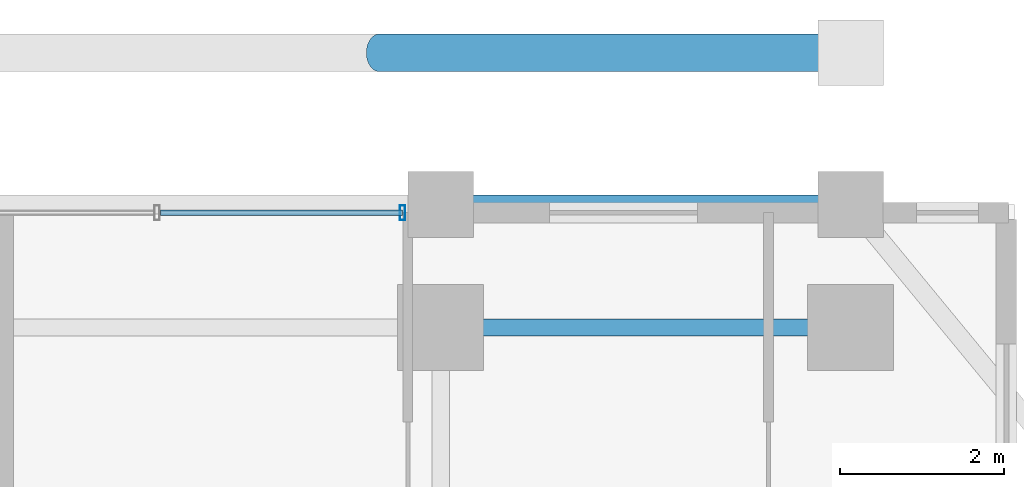
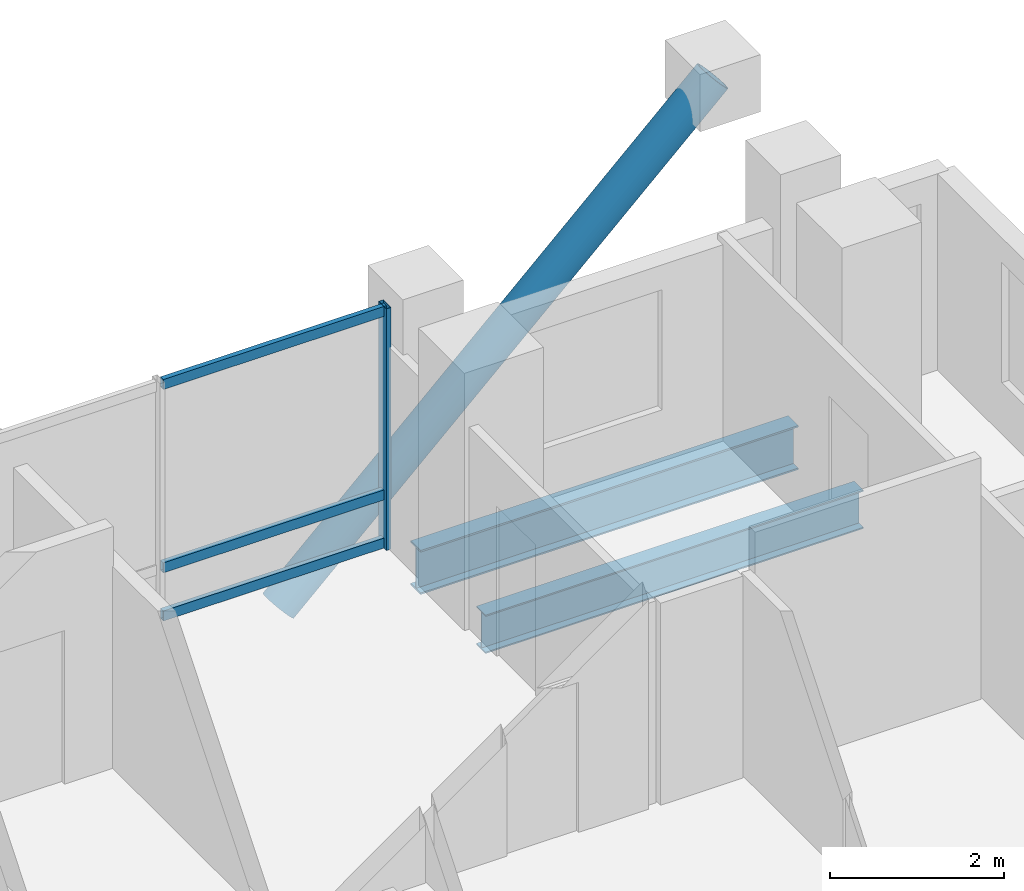
# One storey, part 16 of 24: 5 members, 2 beams, 1 element without a shape of its own.
"""IFC4 building model written with IfcOpenShell, lengths in metres."""

import ifcopenshell
import ifcopenshell.guid

model = None  # the IFC model being written
_history = None  # IfcOwnerHistory: only IFC2X3 demands one
_inside = {}  # id of a spatial element -> (the spatial element, [elements in it])
_under = {}  # id of a project, library or spatial element -> (it, [spatial elements below it])
_declared = {}  # id of a project -> (the project, [libraries it declares])
_typed = {}  # id of a type object -> (the type object, [elements of that type])
_made_of = {}  # id of a material, layer set ... -> (it, [elements and type objects made of it])


def new_model(schema):
    """Start an empty IFC model of exactly this schema.

    Asked for "IFC4X3", IfcOpenShell would pick the latest addendum, in which some entities
    have other attributes; the version numbers below select the first issue.
    IFC2X3 requires an IfcOwnerHistory on every rooted entity: one is made here for all.
    """
    global model, _history
    if schema == "IFC4X3":
        model = ifcopenshell.file(schema_version=(4, 3, 0, 0))
    else:
        model = ifcopenshell.file(schema=schema)
    _inside.clear()
    _under.clear()
    _declared.clear()
    _typed.clear()
    _made_of.clear()
    _history = None
    if model.schema == "IFC2X3":
        org = make("IfcOrganization", Name="unknown")
        user = make(
            "IfcPersonAndOrganization",
            ThePerson=make("IfcPerson", FamilyName="unknown"),
            TheOrganization=org,
        )
        app = make(
            "IfcApplication",
            ApplicationDeveloper=org,
            Version="unknown",
            ApplicationFullName="unknown",
            ApplicationIdentifier="unknown",
        )
        _history = make(
            "IfcOwnerHistory",
            OwningUser=user,
            OwningApplication=app,
            ChangeAction="ADDED",
            CreationDate=0,
        )
    return model


def make(cls, **values):
    """One entity of the class cls with the attributes given. An attribute that is None is left unset."""
    return model.create_entity(
        cls, **{name: value for name, value in values.items() if value is not None}
    )


def rooted(cls, **values):
    """An entity with a GlobalId (a new one), such as an element, a storey or a relation."""
    return make(cls, GlobalId=ifcopenshell.guid.new(), OwnerHistory=_history, **values)


def si_unit(unit_type, name, prefix=None):
    """IfcSIUnit, for example si_unit("LENGTHUNIT", "METRE", prefix="MILLI")."""
    return make("IfcSIUnit", UnitType=unit_type, Prefix=prefix, Name=name)


def assignment(units):
    """IfcUnitAssignment: the units of a project."""
    return None if units is None else make("IfcUnitAssignment", Units=units)


def point(xyz):
    """IfcCartesianPoint."""
    return None if xyz is None else make("IfcCartesianPoint", Coordinates=xyz)


def direction(xyz):
    """IfcDirection."""
    return None if xyz is None else make("IfcDirection", DirectionRatios=xyz)


def frame(location, z_axis=None, x_axis=None):
    """IfcAxis2Placement3D, a coordinate frame: its origin and axes. An axis left out is left unset."""
    return make(
        "IfcAxis2Placement3D",
        Location=point(location),
        Axis=direction(z_axis),
        RefDirection=direction(x_axis),
    )


def frame_2d(location, x_axis=None):
    """IfcAxis2Placement2D, a coordinate frame in the plane: its origin and x axis."""
    return make(
        "IfcAxis2Placement2D", Location=point(location), RefDirection=direction(x_axis)
    )


def origin():
    """The frame at (0, 0, 0) with its axes left unset."""
    return frame((0.0, 0.0, 0.0))


def origin_2d():
    """The frame at (0, 0) in the plane with its x axis left unset."""
    return frame_2d((0.0, 0.0))


def place(relative_to, where):
    """IfcLocalPlacement: puts the frame where relative to a parent placement (None: the world)."""
    return make(
        "IfcLocalPlacement", PlacementRelTo=relative_to, RelativePlacement=where
    )


def context(
    kind, dimensions, precision=None, world=None, true_north=None, identifier=None
):
    """IfcGeometricRepresentationContext, for example the 3D "Model" context."""
    return make(
        "IfcGeometricRepresentationContext",
        ContextIdentifier=identifier,
        ContextType=kind,
        CoordinateSpaceDimension=dimensions,
        Precision=precision,
        WorldCoordinateSystem=world,
        TrueNorth=true_north,
    )


def subcontext(parent, identifier, kind, view, scale=None):
    """IfcGeometricRepresentationSubContext, for example "Body" below "Model"."""
    return make(
        "IfcGeometricRepresentationSubContext",
        ContextIdentifier=identifier,
        ContextType=kind,
        ParentContext=parent,
        TargetScale=scale,
        TargetView=view,
    )


def project(units=None, contexts=None):
    """IfcProject with its units and contexts."""
    return rooted(
        "IfcProject",
        Name="project",
        RepresentationContexts=contexts,
        UnitsInContext=assignment(units),
    )


def spatial(cls, under=None, at=None, **own):
    """A site, building, storey or space (cls), placed at a placement, below another one or the project."""
    s = rooted(cls, ObjectPlacement=at, **own)
    if under is not None:
        _under.setdefault(under.id(), (under, []))[1].append(s)
    return s


def profile(cls, at=None, kind="AREA", **sizes):
    """A parametric profile (cls). Its sizes go by their IFC names, for example OverallWidth=200.0."""
    return make(cls, ProfileType=kind, Position=at, **sizes)


def hollow_rectangle(**sizes):
    """IfcRectangleHollowProfileDef."""
    return profile("IfcRectangleHollowProfileDef", **sizes)


def hollow_circle(**sizes):
    """IfcCircleHollowProfileDef."""
    return profile("IfcCircleHollowProfileDef", **sizes)


def i_section(**sizes):
    """IfcIShapeProfileDef."""
    return profile("IfcIShapeProfileDef", **sizes)


def extrude(swept, where, along, depth):
    """IfcExtrudedAreaSolid: the profile swept, set in the frame where, extruded along a direction by depth."""
    return make(
        "IfcExtrudedAreaSolid",
        SweptArea=swept,
        Position=where,
        ExtrudedDirection=direction(along),
        Depth=depth,
    )


def shape(context_of_items, identifier, shape_type, items):
    """IfcShapeRepresentation: the items that make up one representation, for example the "Body"."""
    return make(
        "IfcShapeRepresentation",
        ContextOfItems=context_of_items,
        RepresentationIdentifier=identifier,
        RepresentationType=shape_type,
        Items=items,
    )


def material(Name=None, Category=None):
    """IfcMaterial."""
    return make("IfcMaterial", Name=Name, Category=Category)


def layer(
    of_material, thickness, ventilated=None, Name=None, Category=None, Priority=None
):
    """IfcMaterialLayer: one layer of a wall or slab, of a material (None: an air gap)."""
    return make(
        "IfcMaterialLayer",
        Material=of_material,
        LayerThickness=thickness,
        IsVentilated=ventilated,
        Name=Name,
        Category=Category,
        Priority=Priority,
    )


def layer_set(layers, Name=None):
    """IfcMaterialLayerSet."""
    return make("IfcMaterialLayerSet", MaterialLayers=layers, LayerSetName=Name)


def material_profile(
    of_material, cross_section, Name=None, Category=None, Priority=None
):
    """IfcMaterialProfile: a cross section and its material."""
    return make(
        "IfcMaterialProfile",
        Name=Name,
        Material=of_material,
        Profile=cross_section,
        Priority=Priority,
        Category=Category,
    )


def profile_set(profiles, Name=None, composite=None):
    """IfcMaterialProfileSet."""
    return make(
        "IfcMaterialProfileSet",
        Name=Name,
        MaterialProfiles=profiles,
        CompositeProfile=composite,
    )


def made_of(thing, what):
    """Note that an element or type object is made of a material, layer set ...; save() writes the relation."""
    if what is not None:
        _made_of.setdefault(what.id(), (what, []))[1].append(thing)
    return thing


def type_object(cls, material=None, **own):
    """A type object (cls), such as IfcWallType, which elements share."""
    return made_of(rooted(cls, **own), material)


def element(
    cls,
    number,
    at=None,
    inside=None,
    cuts=None,
    type_object=None,
    material=None,
    context=None,
    identifier="Body",
    shape_type=None,
    held_by="IfcProductDefinitionShape",
    body=None,
    shapes=None,
    **own,
):
    """One element of the class cls, such as IfcWall. Its Tag is "e" and its number.

    at: its placement. inside: the storey or other place that contains it. cuts: it is an
    opening in that element (IfcRelVoidsElement). A single representation is given by context,
    identifier, shape_type and body (its items); several are given by shapes. held_by: the class
    of the entity that holds the representations. save() writes the other relations.
    """
    e = rooted(cls, Tag="e%d" % number, ObjectPlacement=at, **own)
    if body is not None:
        shapes = [shape(context, identifier, shape_type, body)]
    if shapes is not None:
        e.Representation = make(held_by, Representations=shapes)
    if inside is not None:
        _inside.setdefault(inside.id(), (inside, []))[1].append(e)
    if cuts is not None:
        rooted(
            "IfcRelVoidsElement", RelatingBuildingElement=cuts, RelatedOpeningElement=e
        )
    if type_object is not None:
        _typed.setdefault(type_object.id(), (type_object, []))[1].append(e)
    return made_of(e, material)


def aggregate(whole, parts):
    """IfcRelAggregates: a whole, such as a stair, and the parts it consists of."""
    return rooted("IfcRelAggregates", RelatingObject=whole, RelatedObjects=parts)


def save(model, path):
    """Write the relations noted so far, then the file.

    IfcRelAggregates (storeys below a building ...), IfcRelContainedInSpatialStructure (elements
    in a storey), IfcRelDefinesByType, IfcRelAssociatesMaterial and IfcRelDeclares: one each for
    every whole, place, type object, material and project.
    """
    for whole, parts in _under.values():
        aggregate(whole, parts)
    for where, things in _inside.values():
        rooted(
            "IfcRelContainedInSpatialStructure",
            RelatedElements=things,
            RelatingStructure=where,
        )
    for kind, things in _typed.values():
        rooted("IfcRelDefinesByType", RelatedObjects=things, RelatingType=kind)
    for what, things in _made_of.values():
        rooted("IfcRelAssociatesMaterial", RelatedObjects=things, RelatingMaterial=what)
    for by, libraries in _declared.values():
        rooted("IfcRelDeclares", RelatingContext=by, RelatedDefinitions=libraries)
    model.write(path)


model = new_model("IFC4")

# Units and contexts
model_context = context("Model", 3, precision=1e-05, world=origin(), true_north=direction((0.0, 1.0)))
body_context = subcontext(model_context, "Body", "Model", "MODEL_VIEW")
ifc_project = project(units=[si_unit("LENGTHUNIT", "METRE"), si_unit("AREAUNIT", "SQUARE_METRE"), si_unit("VOLUMEUNIT", "CUBIC_METRE"), si_unit("PLANEANGLEUNIT", "RADIAN"), si_unit("MASSUNIT", "GRAM", prefix="KILO")], contexts=[model_context])

# Site, building, storey
site_placement = place(None, origin())
site = spatial("IfcSite", under=ifc_project, at=site_placement, CompositionType="ELEMENT")
building_placement = place(site_placement, origin())
building = spatial("IfcBuilding", under=site, at=building_placement, Name="Barlavira Tower and Art Museum", CompositionType="ELEMENT")
storey_placement = place(building_placement, frame((0.0, 0.0, 194.39990234375)))
storey = spatial("IfcBuildingStorey", under=building, at=storey_placement, Name="L50", CompositionType="ELEMENT", Elevation=194.39990234375)

# Curtain wall, members
ifc_material_1 = material(Name="Low-iron coastal laminated glass", Category="glass")
ifc_layer = layer(ifc_material_1, 0.199951171875, Name="Low-iron coastal laminated glass")
ifc_layer_set = layer_set([ifc_layer], Name="Low-iron coastal laminated glass")
curtain_wall_type = type_object("IfcCurtainWallType", Name="Pale-Metal Unitised Curtain Wall Zone 3", PredefinedType="NOTDEFINED", material=ifc_layer_set)
curtain_wall_placement = place(storey_placement, origin())
curtain_wall = element("IfcCurtainWall", 1, at=curtain_wall_placement, inside=storey, type_object=curtain_wall_type, Name="L50 Curtain Wall CW3-L50-N-B3", PredefinedType="NOTDEFINED")
ifc_material_2 = material(Name="Pale anodised aluminium", Category="aluminium")
ifc_material_profile_1 = material_profile(ifc_material_2, hollow_rectangle(XDim=0.06494140625, YDim=0.179931640625, WallThickness=0.00390625, at=origin_2d()), Name="ALU-MULL 65x180x4")
ifc_profile_set_1 = profile_set([ifc_material_profile_1], Name="Pale anodised aluminium")
member_type_1 = type_object("IfcMemberType", Name="Curtain Wall Pale-Metal Mullion 65x180", PredefinedType="MULLION", material=ifc_profile_set_1)
member_1_placement = place(storey_placement, frame((6.034912109375, 21.39990234375, 0.0), z_axis=(0.0, 0.0, 1.0), x_axis=(-1.0, 0.0, 0.0)))
member_1 = element("IfcMember", 2, at=member_1_placement, type_object=member_type_1, Name="CW3-L50-N-B3 Mullion 0", PredefinedType="MULLION", context=body_context, shape_type="SweptSolid", body=[
    extrude(hollow_rectangle(XDim=0.06494140625, YDim=0.179931640625, WallThickness=0.00390625, at=origin_2d()), origin(), (0.0, 0.0, 1.0), 3.380126953125),
])
ifc_material_profile_2 = material_profile(ifc_material_2, hollow_rectangle(XDim=0.06494140625, YDim=0.139892578125, WallThickness=0.00390625, at=origin_2d()), Name="ALU-TRAN 65x140x4")
ifc_profile_set_2 = profile_set([ifc_material_profile_2], Name="Pale anodised aluminium")
member_type_2 = type_object("IfcMemberType", Name="Curtain Wall Pale-Metal Transom 65x140", PredefinedType="USERDEFINED", material=ifc_profile_set_2)
member_2_placement = place(storey_placement, frame((6.034912109375, 21.39990234375, 0.070068359375), z_axis=(-1.0, 0.0, 0.0), x_axis=(0.0, -1.0, 0.0)))
member_2 = element("IfcMember", 3, at=member_2_placement, type_object=member_type_2, Name="CW3-L50-N-B3 Transom 0.1", ObjectType="TRANSOM", PredefinedType="USERDEFINED", context=body_context, shape_type="SweptSolid", body=[
    extrude(hollow_rectangle(XDim=0.06494140625, YDim=0.139892578125, WallThickness=0.00390625, at=origin_2d()), origin(), (0.0, 0.0, 1.0), 2.949951171875),
])
member_3_placement = place(storey_placement, frame((6.034912109375, 21.39990234375, 0.744140625), z_axis=(-1.0, 0.0, 0.0), x_axis=(0.0, -1.0, 0.0)))
member_3 = element("IfcMember", 4, at=member_3_placement, type_object=member_type_2, Name="CW3-L50-N-B3 Transom 0.2", ObjectType="TRANSOM", PredefinedType="USERDEFINED", context=body_context, shape_type="SweptSolid", body=[
    extrude(hollow_rectangle(XDim=0.06494140625, YDim=0.139892578125, WallThickness=0.00390625, at=origin_2d()), origin(), (0.0, 0.0, 1.0), 2.949951171875),
])
member_4_placement = place(storey_placement, frame((6.034912109375, 21.39990234375, 3.31005859375), z_axis=(-1.0, 0.0, 0.0), x_axis=(0.0, -1.0, 0.0)))
member_4 = element("IfcMember", 5, at=member_4_placement, type_object=member_type_2, Name="CW3-L50-N-B3 Transom 0.3", ObjectType="TRANSOM", PredefinedType="USERDEFINED", context=body_context, shape_type="SweptSolid", body=[
    extrude(hollow_rectangle(XDim=0.06494140625, YDim=0.139892578125, WallThickness=0.00390625, at=origin_2d()), origin(), (0.0, 0.0, 1.0), 2.949951171875),
])
aggregate(curtain_wall, [member_1, member_2, member_3, member_4])

# Member
ifc_material_3 = material(Name="Steel S355", Category="steel")
ifc_material_profile_3 = material_profile(ifc_material_3, hollow_circle(Radius=0.228515625, WallThickness=0.02001953125, at=origin_2d()), Name="CHS 457.0x20.0")
ifc_profile_set_3 = profile_set([ifc_material_profile_3], Name="Steel S355")
member_type_3 = type_object("IfcMemberType", Name="Pale-Metal Exoskeleton Diagrid Tube CHS 457x20 Steel S355", PredefinedType="BRACE", material=ifc_profile_set_3)
member_5_placement = place(storey_placement, frame((5.75, 23.35009765625, -1.919921875), z_axis=(0.728950095515, 0.0, 0.684566839869), x_axis=(0.0, 1.0, 0.0)))
element("IfcMember", 6, at=member_5_placement, inside=storey, type_object=member_type_3, Name="L50 Exoskeleton Diagrid Tube N", PredefinedType="BRACE", context=body_context, shape_type="SweptSolid", body=[
    extrude(hollow_circle(Radius=0.228515625, WallThickness=0.02001953125, at=origin_2d()), origin(), (0.0, 0.0, 1.0), 7.887939453125),
])

# Beams
ifc_material_profile_4 = material_profile(ifc_material_3, i_section(OverallWidth=0.22998046875, OverallDepth=0.616943359375, WebThickness=0.01318359375, FlangeThickness=0.022216796875, at=origin_2d()), Name="W610x140.0")
ifc_profile_set_4 = profile_set([ifc_material_profile_4], Name="Steel S355")
beam_type_1 = type_object("IfcBeamType", Name="Upper Shaft Spandrel Edge Beam W610x140 Steel S355", PredefinedType="SPANDREL", material=ifc_profile_set_4)
beam_1_placement = place(storey_placement, frame((6.5, 21.5, -0.5283203125), z_axis=(1.0, 0.0, 0.0), x_axis=(0.0, 1.0, 0.0)))
element("IfcBeam", 7, at=beam_1_placement, inside=storey, type_object=beam_type_1, Name="L50 Spandrel 9", PredefinedType="SPANDREL", context=body_context, shape_type="SweptSolid", body=[
    extrude(i_section(OverallWidth=0.22998046875, OverallDepth=0.616943359375, WebThickness=0.01318359375, FlangeThickness=0.022216796875, at=origin_2d()), origin(), (0.0, 0.0, 1.0), 5.0),
])
ifc_material_profile_5 = material_profile(ifc_material_3, i_section(OverallWidth=0.2109375, OverallDepth=0.5390625, WebThickness=0.01171875, FlangeThickness=0.018798828125, at=origin_2d()), Name="W530x109.0")
ifc_profile_set_5 = profile_set([ifc_material_profile_5], Name="Steel S355")
beam_type_2 = type_object("IfcBeamType", Name="Zone 3-4 Primary Floor Girder W530x109 Steel S355", PredefinedType="BEAM", material=ifc_profile_set_5)
beam_2_placement = place(storey_placement, frame((6.5, 20.0, -0.489501953125), z_axis=(1.0, 0.0, 0.0), x_axis=(0.0, 1.0, 0.0)))
element("IfcBeam", 8, at=beam_2_placement, inside=storey, type_object=beam_type_2, Name="L50 Girder M-N3", PredefinedType="BEAM", context=body_context, shape_type="SweptSolid", body=[
    extrude(i_section(OverallWidth=0.2109375, OverallDepth=0.5390625, WebThickness=0.01171875, FlangeThickness=0.018798828125, at=origin_2d()), origin(), (0.0, 0.0, 1.0), 5.0),
])

save(model, "model.ifc")
